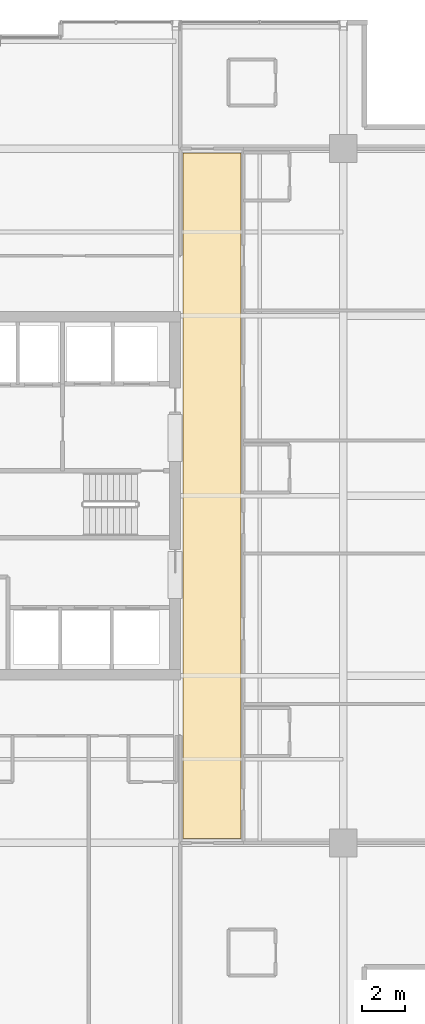
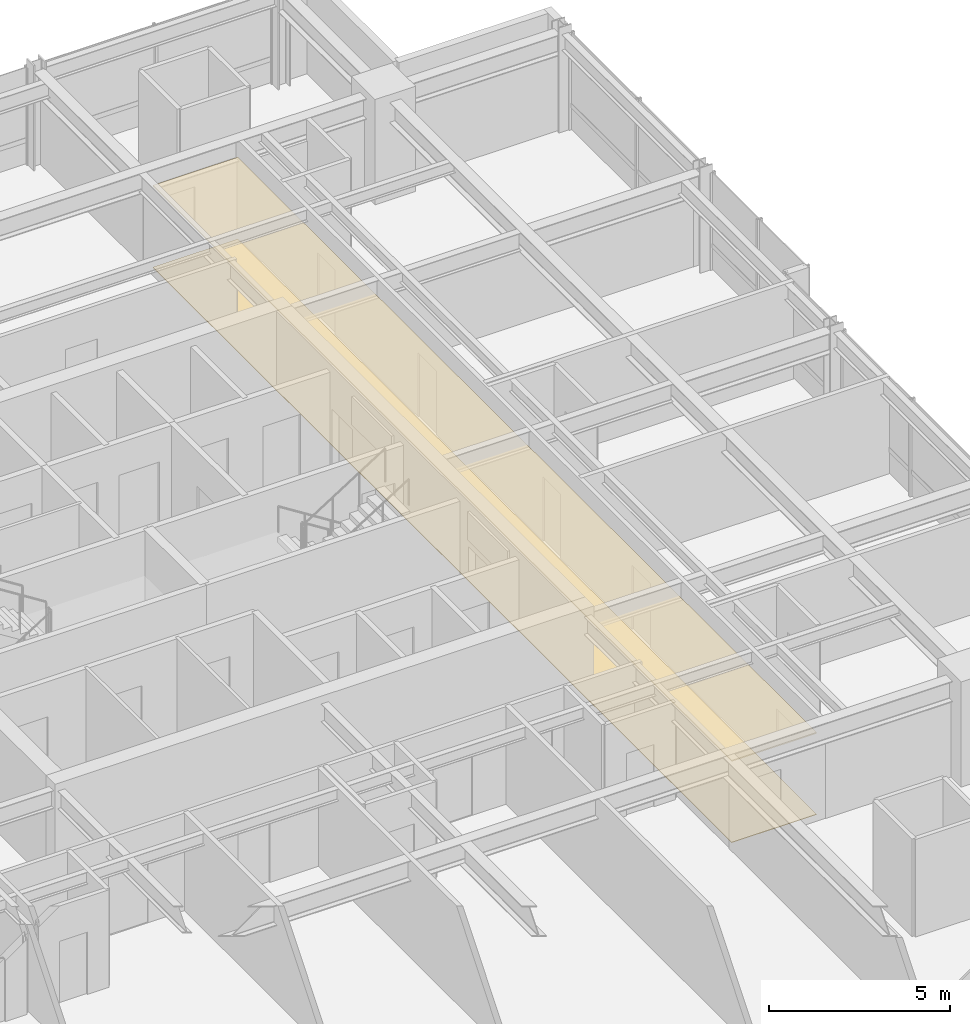
# One storey, part 32 of 32: 2 coverings.
"""IFC4 building model written with IfcOpenShell, lengths in metres."""

import ifcopenshell
import ifcopenshell.guid

model = None  # the IFC model being written
_history = None  # IfcOwnerHistory: only IFC2X3 demands one
_inside = {}  # id of a spatial element -> (the spatial element, [elements in it])
_under = {}  # id of a project, library or spatial element -> (it, [spatial elements below it])
_declared = {}  # id of a project -> (the project, [libraries it declares])
_typed = {}  # id of a type object -> (the type object, [elements of that type])
_made_of = {}  # id of a material, layer set ... -> (it, [elements and type objects made of it])


def new_model(schema):
    """Start an empty IFC model of exactly this schema.

    Asked for "IFC4X3", IfcOpenShell would pick the latest addendum, in which some entities
    have other attributes; the version numbers below select the first issue.
    IFC2X3 requires an IfcOwnerHistory on every rooted entity: one is made here for all.
    """
    global model, _history
    if schema == "IFC4X3":
        model = ifcopenshell.file(schema_version=(4, 3, 0, 0))
    else:
        model = ifcopenshell.file(schema=schema)
    _inside.clear()
    _under.clear()
    _declared.clear()
    _typed.clear()
    _made_of.clear()
    _history = None
    if model.schema == "IFC2X3":
        org = make("IfcOrganization", Name="unknown")
        user = make(
            "IfcPersonAndOrganization",
            ThePerson=make("IfcPerson", FamilyName="unknown"),
            TheOrganization=org,
        )
        app = make(
            "IfcApplication",
            ApplicationDeveloper=org,
            Version="unknown",
            ApplicationFullName="unknown",
            ApplicationIdentifier="unknown",
        )
        _history = make(
            "IfcOwnerHistory",
            OwningUser=user,
            OwningApplication=app,
            ChangeAction="ADDED",
            CreationDate=0,
        )
    return model


def make(cls, **values):
    """One entity of the class cls with the attributes given. An attribute that is None is left unset."""
    return model.create_entity(
        cls, **{name: value for name, value in values.items() if value is not None}
    )


def rooted(cls, **values):
    """An entity with a GlobalId (a new one), such as an element, a storey or a relation."""
    return make(cls, GlobalId=ifcopenshell.guid.new(), OwnerHistory=_history, **values)


def si_unit(unit_type, name, prefix=None):
    """IfcSIUnit, for example si_unit("LENGTHUNIT", "METRE", prefix="MILLI")."""
    return make("IfcSIUnit", UnitType=unit_type, Prefix=prefix, Name=name)


def assignment(units):
    """IfcUnitAssignment: the units of a project."""
    return None if units is None else make("IfcUnitAssignment", Units=units)


def point(xyz):
    """IfcCartesianPoint."""
    return None if xyz is None else make("IfcCartesianPoint", Coordinates=xyz)


def direction(xyz):
    """IfcDirection."""
    return None if xyz is None else make("IfcDirection", DirectionRatios=xyz)


def frame(location, z_axis=None, x_axis=None):
    """IfcAxis2Placement3D, a coordinate frame: its origin and axes. An axis left out is left unset."""
    return make(
        "IfcAxis2Placement3D",
        Location=point(location),
        Axis=direction(z_axis),
        RefDirection=direction(x_axis),
    )


def origin():
    """The frame at (0, 0, 0) with its axes left unset."""
    return frame((0.0, 0.0, 0.0))


def place(relative_to, where):
    """IfcLocalPlacement: puts the frame where relative to a parent placement (None: the world)."""
    return make(
        "IfcLocalPlacement", PlacementRelTo=relative_to, RelativePlacement=where
    )


def context(
    kind, dimensions, precision=None, world=None, true_north=None, identifier=None
):
    """IfcGeometricRepresentationContext, for example the 3D "Model" context."""
    return make(
        "IfcGeometricRepresentationContext",
        ContextIdentifier=identifier,
        ContextType=kind,
        CoordinateSpaceDimension=dimensions,
        Precision=precision,
        WorldCoordinateSystem=world,
        TrueNorth=true_north,
    )


def subcontext(parent, identifier, kind, view, scale=None):
    """IfcGeometricRepresentationSubContext, for example "Body" below "Model"."""
    return make(
        "IfcGeometricRepresentationSubContext",
        ContextIdentifier=identifier,
        ContextType=kind,
        ParentContext=parent,
        TargetScale=scale,
        TargetView=view,
    )


def project(units=None, contexts=None):
    """IfcProject with its units and contexts."""
    return rooted(
        "IfcProject",
        Name="project",
        RepresentationContexts=contexts,
        UnitsInContext=assignment(units),
    )


def spatial(cls, under=None, at=None, **own):
    """A site, building, storey or space (cls), placed at a placement, below another one or the project."""
    s = rooted(cls, ObjectPlacement=at, **own)
    if under is not None:
        _under.setdefault(under.id(), (under, []))[1].append(s)
    return s


def polyline(points):
    """IfcPolyline through the points."""
    return make("IfcPolyline", Points=[point(p) for p in points])


def outline(outer, holes=None, kind="AREA"):
    """IfcArbitraryClosedProfileDef: a profile drawn as a closed curve; with holes, ...WithVoids."""
    if holes is None:
        return make("IfcArbitraryClosedProfileDef", ProfileType=kind, OuterCurve=outer)
    return make(
        "IfcArbitraryProfileDefWithVoids",
        ProfileType=kind,
        OuterCurve=outer,
        InnerCurves=holes,
    )


def extrude(swept, where, along, depth):
    """IfcExtrudedAreaSolid: the profile swept, set in the frame where, extruded along a direction by depth."""
    return make(
        "IfcExtrudedAreaSolid",
        SweptArea=swept,
        Position=where,
        ExtrudedDirection=direction(along),
        Depth=depth,
    )


def shape(context_of_items, identifier, shape_type, items):
    """IfcShapeRepresentation: the items that make up one representation, for example the "Body"."""
    return make(
        "IfcShapeRepresentation",
        ContextOfItems=context_of_items,
        RepresentationIdentifier=identifier,
        RepresentationType=shape_type,
        Items=items,
    )


def material(Name=None, Category=None):
    """IfcMaterial."""
    return make("IfcMaterial", Name=Name, Category=Category)


def layer(
    of_material, thickness, ventilated=None, Name=None, Category=None, Priority=None
):
    """IfcMaterialLayer: one layer of a wall or slab, of a material (None: an air gap)."""
    return make(
        "IfcMaterialLayer",
        Material=of_material,
        LayerThickness=thickness,
        IsVentilated=ventilated,
        Name=Name,
        Category=Category,
        Priority=Priority,
    )


def layer_set(layers, Name=None):
    """IfcMaterialLayerSet."""
    return make("IfcMaterialLayerSet", MaterialLayers=layers, LayerSetName=Name)


def made_of(thing, what):
    """Note that an element or type object is made of a material, layer set ...; save() writes the relation."""
    if what is not None:
        _made_of.setdefault(what.id(), (what, []))[1].append(thing)
    return thing


def type_object(cls, material=None, **own):
    """A type object (cls), such as IfcWallType, which elements share."""
    return made_of(rooted(cls, **own), material)


def element(
    cls,
    number,
    at=None,
    inside=None,
    cuts=None,
    type_object=None,
    material=None,
    context=None,
    identifier="Body",
    shape_type=None,
    held_by="IfcProductDefinitionShape",
    body=None,
    shapes=None,
    **own,
):
    """One element of the class cls, such as IfcWall. Its Tag is "e" and its number.

    at: its placement. inside: the storey or other place that contains it. cuts: it is an
    opening in that element (IfcRelVoidsElement). A single representation is given by context,
    identifier, shape_type and body (its items); several are given by shapes. held_by: the class
    of the entity that holds the representations. save() writes the other relations.
    """
    e = rooted(cls, Tag="e%d" % number, ObjectPlacement=at, **own)
    if body is not None:
        shapes = [shape(context, identifier, shape_type, body)]
    if shapes is not None:
        e.Representation = make(held_by, Representations=shapes)
    if inside is not None:
        _inside.setdefault(inside.id(), (inside, []))[1].append(e)
    if cuts is not None:
        rooted(
            "IfcRelVoidsElement", RelatingBuildingElement=cuts, RelatedOpeningElement=e
        )
    if type_object is not None:
        _typed.setdefault(type_object.id(), (type_object, []))[1].append(e)
    return made_of(e, material)


def aggregate(whole, parts):
    """IfcRelAggregates: a whole, such as a stair, and the parts it consists of."""
    return rooted("IfcRelAggregates", RelatingObject=whole, RelatedObjects=parts)


def save(model, path):
    """Write the relations noted so far, then the file.

    IfcRelAggregates (storeys below a building ...), IfcRelContainedInSpatialStructure (elements
    in a storey), IfcRelDefinesByType, IfcRelAssociatesMaterial and IfcRelDeclares: one each for
    every whole, place, type object, material and project.
    """
    for whole, parts in _under.values():
        aggregate(whole, parts)
    for where, things in _inside.values():
        rooted(
            "IfcRelContainedInSpatialStructure",
            RelatedElements=things,
            RelatingStructure=where,
        )
    for kind, things in _typed.values():
        rooted("IfcRelDefinesByType", RelatedObjects=things, RelatingType=kind)
    for what, things in _made_of.values():
        rooted("IfcRelAssociatesMaterial", RelatedObjects=things, RelatingMaterial=what)
    for by, libraries in _declared.values():
        rooted("IfcRelDeclares", RelatingContext=by, RelatedDefinitions=libraries)
    model.write(path)


model = new_model("IFC4")

# Units and contexts
model_context = context("Model", 3, precision=1e-05, world=origin(), true_north=direction((0.0, 1.0)))
body_context = subcontext(model_context, "Body", "Model", "MODEL_VIEW")
ifc_project = project(units=[si_unit("LENGTHUNIT", "METRE"), si_unit("AREAUNIT", "SQUARE_METRE"), si_unit("VOLUMEUNIT", "CUBIC_METRE"), si_unit("PLANEANGLEUNIT", "RADIAN"), si_unit("MASSUNIT", "GRAM", prefix="KILO")], contexts=[model_context])

# Site, building, storey
site_placement = place(None, origin())
site = spatial("IfcSite", under=ifc_project, at=site_placement, CompositionType="ELEMENT")
building_placement = place(site_placement, origin())
building = spatial("IfcBuilding", under=site, at=building_placement, Name="Drelvath Grand Hotel", CompositionType="ELEMENT")
storey_placement = place(building_placement, frame((0.0, 0.0, 193.0)))
storey = spatial("IfcBuildingStorey", under=building, at=storey_placement, Name="L50", CompositionType="ELEMENT", Elevation=193.0)

# Coverings
ifc_material_1 = material(Name="Woven Wool Broadloom Carpet")
ifc_layer_1 = layer(ifc_material_1, 0.01806640625)
ifc_layer_set_1 = layer_set([ifc_layer_1], Name="Woven Wool Broadloom Carpet")
covering_type_1 = type_object("IfcCoveringType", Name="Hospitality Broadloom Carpet 18", PredefinedType="FLOORING", material=ifc_layer_set_1)
covering_1_placement = place(storey_placement, origin())
element("IfcCovering", 1, at=covering_1_placement, inside=storey, type_object=covering_type_1, Name="L50 East Spine Carpet", PredefinedType="FLOORING", context=body_context, shape_type="SweptSolid", body=[
    extrude(outline(polyline([(11.429931640625, 11.0), (11.429931640625, 43.0), (8.719970703125, 43.0), (8.719970703125, 11.0), (11.429931640625, 11.0)])), origin(), (0.0, 0.0, 1.0), 0.01806640625),
])
ifc_material_2 = material(Name="Anodised Aluminium Alloy", Category="aluminium")
ifc_layer_2 = layer(ifc_material_2, 0.0400390625)
ifc_layer_set_2 = layer_set([ifc_layer_2], Name="Anodised Aluminium Alloy")
covering_type_2 = type_object("IfcCoveringType", Name="Perforated Metal Corridor Ceiling 40", PredefinedType="CEILING", material=ifc_layer_set_2)
covering_2_placement = place(storey_placement, frame((0.0, 0.0, 2.739990234375)))
element("IfcCovering", 2, at=covering_2_placement, inside=storey, type_object=covering_type_2, Name="L50 East Spine Ceiling", PredefinedType="CEILING", context=body_context, shape_type="SweptSolid", body=[
    extrude(outline(polyline([(11.429931640625, 11.0), (11.429931640625, 43.0), (8.719970703125, 43.0), (8.719970703125, 11.0), (11.429931640625, 11.0)])), origin(), (0.0, 0.0, 1.0), 0.0400390625),
])

save(model, "model.ifc")
